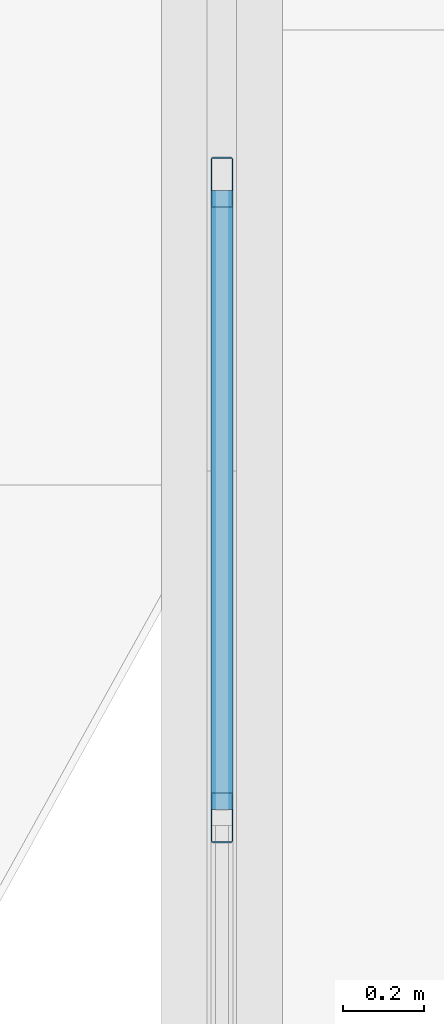
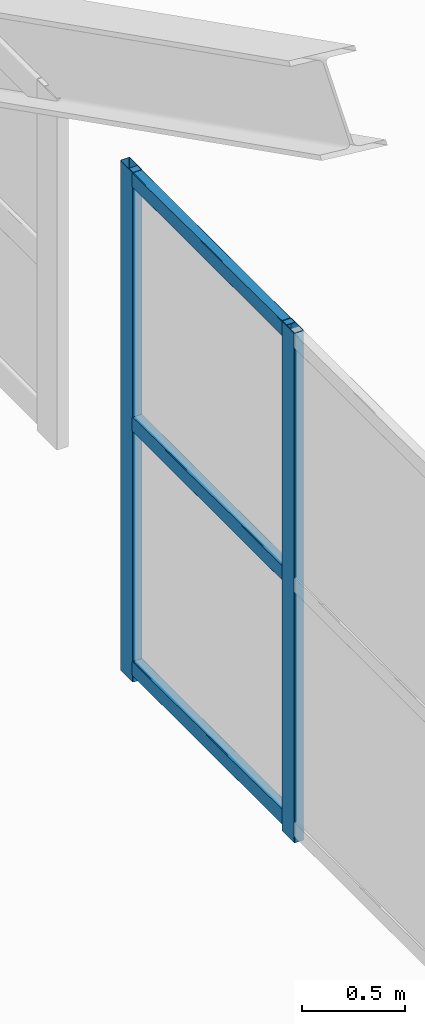
# One storey, part 73 of 262: 5 members, 1 element without a shape of its own.
"""IFC4 building model written with IfcOpenShell, lengths in metres."""

from ifc_helpers import new_model, si_unit, derived_unit, direction, frame, origin, origin_2d, place, context, subcontext, project, spatial, hollow_rectangle, extrude, material, layer, layer_set, material_profile, profile_set, type_object, element, aggregate, save


model = new_model("IFC4")

# Units and contexts
model_context = context("Model", 3, precision=1e-05, world=origin(), true_north=direction((0.0, 1.0)))
body_context = subcontext(model_context, "Body", "Model", "MODEL_VIEW")
ifc_project = project(units=[si_unit("LENGTHUNIT", "METRE"), si_unit("AREAUNIT", "SQUARE_METRE"), si_unit("VOLUMEUNIT", "CUBIC_METRE"), si_unit("PLANEANGLEUNIT", "RADIAN"), si_unit("MASSUNIT", "GRAM", prefix="KILO"), derived_unit("THERMALTRANSMITTANCEUNIT", [(si_unit("POWERUNIT", "WATT"), 1), (si_unit("LENGTHUNIT", "METRE"), -2), (si_unit("THERMODYNAMICTEMPERATUREUNIT", "KELVIN"), -1)])], contexts=[model_context])

# Site, building, storey
site_placement = place(None, origin())
site = spatial("IfcSite", under=ifc_project, at=site_placement, CompositionType="ELEMENT")
building_placement = place(site_placement, origin())
building = spatial("IfcBuilding", under=site, at=building_placement, Name="Almenara Railside Exhibition Hall", CompositionType="ELEMENT")
storey_placement = place(building_placement, frame((0.0, 0.0, 21.699951171875)))
storey = spatial("IfcBuildingStorey", under=building, at=storey_placement, Name="RF", CompositionType="ELEMENT", Elevation=21.699951171875)

# Curtain wall, members
ifc_material_1 = material(Name="Bronze-anodised aluminium and low-E double glazing", Category="aluminium")
ifc_layer = layer(ifc_material_1, 0.179931640625, Name="Bronze-anodised aluminium and low-E double glazing")
ifc_layer_set = layer_set([ifc_layer], Name="Bronze-anodised aluminium and low-E double glazing")
curtain_wall_type = type_object("IfcCurtainWallType", Name="West Hall Clerestory Curtain Wall 4200x2400", PredefinedType="NOTDEFINED", material=ifc_layer_set)
curtain_wall_placement = place(storey_placement, origin())
curtain_wall = element("IfcCurtainWall", 1, at=curtain_wall_placement, inside=storey, type_object=curtain_wall_type, Name="Curtain wall CW-CL1-170", PredefinedType="NOTDEFINED")
ifc_material_2 = material(Name="Bronze-anodised aluminium", Category="aluminium")
ifc_material_profile_1 = material_profile(ifc_material_2, hollow_rectangle(XDim=0.054931640625, YDim=0.125, WallThickness=0.0029296875, InnerFilletRadius=0.0029296875, OuterFilletRadius=0.006103515625, at=origin_2d()), Name="ALU-MUL 55x125x3")
ifc_profile_set_1 = profile_set([ifc_material_profile_1], Name="Bronze-anodised aluminium")
member_type_1 = type_object("IfcMemberType", Name="Curtain Wall Mullion 55x125x3", PredefinedType="MULLION", material=ifc_profile_set_1)
member_1_placement = place(storey_placement, frame((66.0, 52.050048828125, -0.0849609375), z_axis=(0.0, 0.0, 1.0), x_axis=(-1.0, 0.0, 0.0)))
member_1 = element("IfcMember", 2, at=member_1_placement, type_object=member_type_1, Name="CW-CL1-170 mullion 3", PredefinedType="MULLION", context=body_context, shape_type="SweptSolid", body=[
    extrude(hollow_rectangle(XDim=0.054931640625, YDim=0.125, WallThickness=0.0029296875, InnerFilletRadius=0.0029296875, OuterFilletRadius=0.006103515625, at=origin_2d()), origin(), (0.0, 0.0, 1.0), 3.02490234375),
])
member_2_placement = place(storey_placement, frame((66.0, 53.62255859375, -0.0849609375), z_axis=(0.0, 0.0, 1.0), x_axis=(-1.0, 0.0, 0.0)))
member_2 = element("IfcMember", 3, at=member_2_placement, type_object=member_type_1, Name="CW-CL1-170 mullion 4", PredefinedType="MULLION", context=body_context, shape_type="SweptSolid", body=[
    extrude(hollow_rectangle(XDim=0.054931640625, YDim=0.125, WallThickness=0.0029296875, InnerFilletRadius=0.0029296875, OuterFilletRadius=0.006103515625, at=origin_2d()), origin(), (0.0, 0.0, 1.0), 3.02490234375),
])
ifc_material_profile_2 = material_profile(ifc_material_2, hollow_rectangle(XDim=0.054931640625, YDim=0.090087890625, WallThickness=0.0029296875, InnerFilletRadius=0.0029296875, OuterFilletRadius=0.006103515625, at=origin_2d()), Name="ALU-TRN 55x90x3")
ifc_profile_set_2 = profile_set([ifc_material_profile_2], Name="Bronze-anodised aluminium")
member_type_2 = type_object("IfcMemberType", Name="Curtain Wall Transom 55x90x3", PredefinedType="USERDEFINED", material=ifc_profile_set_2)
member_3_placement = place(storey_placement, frame((66.0, 52.069580078125, -0.0048828125), z_axis=(0.0, 1.0, 0.0), x_axis=(-1.0, 0.0, 0.0)))
member_3 = element("IfcMember", 4, at=member_3_placement, type_object=member_type_2, Name="CW-CL1-170 transom 3.1", ObjectType="TRANSOM", PredefinedType="USERDEFINED", context=body_context, shape_type="SweptSolid", body=[
    extrude(hollow_rectangle(XDim=0.054931640625, YDim=0.090087890625, WallThickness=0.0029296875, InnerFilletRadius=0.0029296875, OuterFilletRadius=0.006103515625, at=origin_2d()), origin(), (0.0, 0.0, 1.0), 1.533447265625),
])
member_4_placement = place(storey_placement, frame((66.0, 52.069580078125, 1.445068359375), z_axis=(0.0, 1.0, 0.0), x_axis=(-1.0, 0.0, 0.0)))
member_4 = element("IfcMember", 5, at=member_4_placement, type_object=member_type_2, Name="CW-CL1-170 transom 3.2", ObjectType="TRANSOM", PredefinedType="USERDEFINED", context=body_context, shape_type="SweptSolid", body=[
    extrude(hollow_rectangle(XDim=0.054931640625, YDim=0.090087890625, WallThickness=0.0029296875, InnerFilletRadius=0.0029296875, OuterFilletRadius=0.006103515625, at=origin_2d()), origin(), (0.0, 0.0, 1.0), 1.533447265625),
])
member_5_placement = place(storey_placement, frame((66.0, 52.069580078125, 2.89501953125), z_axis=(0.0, 1.0, 0.0), x_axis=(-1.0, 0.0, 0.0)))
member_5 = element("IfcMember", 6, at=member_5_placement, type_object=member_type_2, Name="CW-CL1-170 transom 3.3", ObjectType="TRANSOM", PredefinedType="USERDEFINED", context=body_context, shape_type="SweptSolid", body=[
    extrude(hollow_rectangle(XDim=0.054931640625, YDim=0.090087890625, WallThickness=0.0029296875, InnerFilletRadius=0.0029296875, OuterFilletRadius=0.006103515625, at=origin_2d()), origin(), (0.0, 0.0, 1.0), 1.533447265625),
])
aggregate(curtain_wall, [member_1, member_2, member_3, member_4, member_5])

save(model, "model.ifc")
